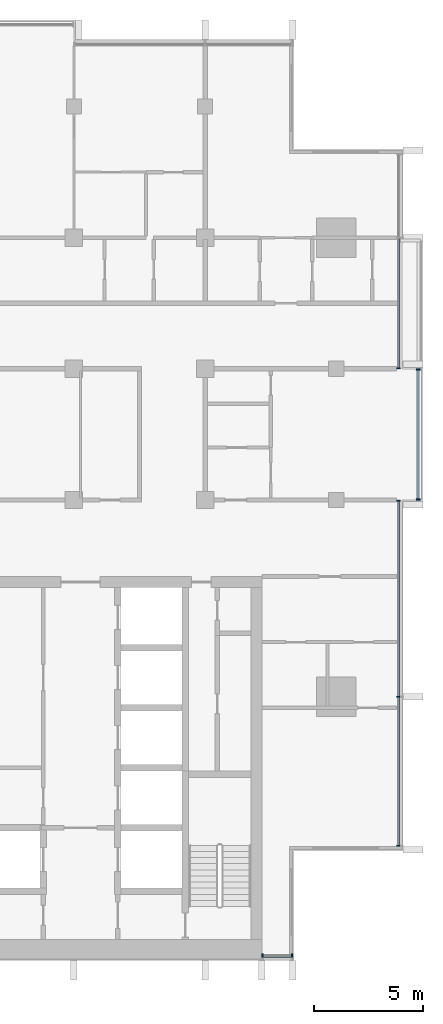
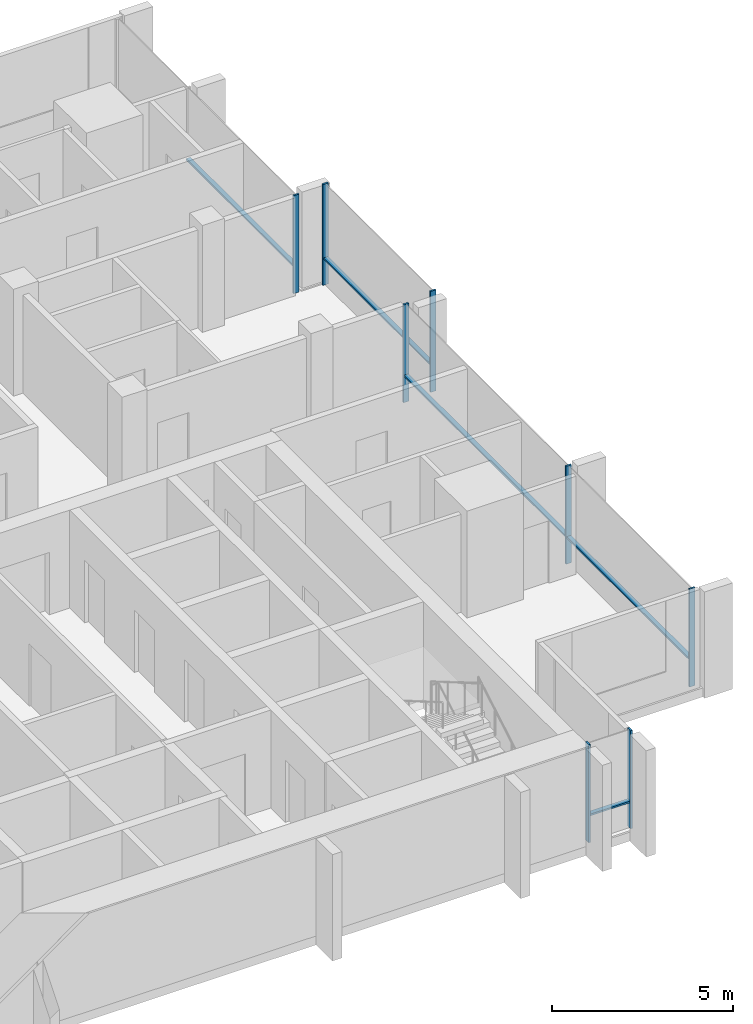
# One storey, part 3 of 16: 13 members, 4 elements without a shape of their own.
"""IFC4 building model written with IfcOpenShell, lengths in metres."""

from ifc_helpers import new_model, si_unit, direction, frame, origin, origin_2d, place, context, subcontext, project, spatial, rectangle, extrude, material, material_profile, profile_set, type_object, element, aggregate, save


model = new_model("IFC4")

# Units and contexts
model_context = context("Model", 3, precision=1e-05, world=origin(), true_north=direction((0.0, 1.0)))
body_context = subcontext(model_context, "Body", "Model", "MODEL_VIEW")
ifc_project = project(units=[si_unit("LENGTHUNIT", "METRE"), si_unit("AREAUNIT", "SQUARE_METRE"), si_unit("VOLUMEUNIT", "CUBIC_METRE"), si_unit("PLANEANGLEUNIT", "RADIAN"), si_unit("MASSUNIT", "GRAM", prefix="KILO")], contexts=[model_context])

# Site, building, storey
site_placement = place(None, origin())
site = spatial("IfcSite", under=ifc_project, at=site_placement, CompositionType="ELEMENT")
building_placement = place(site_placement, origin())
building = spatial("IfcBuilding", under=site, at=building_placement, Name="Finial Court Residences", CompositionType="ELEMENT")
storey_placement = place(building_placement, frame((0.0, 0.0, 291.5)))
storey = spatial("IfcBuildingStorey", under=building, at=storey_placement, Name="L74", CompositionType="ELEMENT", Elevation=291.5)

# Curtain wall, members
ifc_material = material(Name="Bronze anodised aluminium", Category="aluminium")
curtain_wall_type = type_object("IfcCurtainWallType", Name="Unitised curtain wall, upper zones", PredefinedType="NOTDEFINED", material=ifc_material)
curtain_wall_1_placement = place(storey_placement, origin())
curtain_wall_1 = element("IfcCurtainWall", 1, at=curtain_wall_1_placement, inside=storey, type_object=curtain_wall_type, Name="E-L74-CW-E4", PredefinedType="NOTDEFINED")
ifc_material_profile_1 = material_profile(ifc_material, rectangle(XDim=0.175048828125, YDim=0.06005859375, at=origin_2d()), Name="CW2 mullion 60 x 175")
ifc_profile_set_1 = profile_set([ifc_material_profile_1], Name="Bronze anodised aluminium")
member_type_1 = type_object("IfcMemberType", Name="CW2 mullion 60 x 175", PredefinedType="MULLION", material=ifc_profile_set_1)
member_1_placement = place(storey_placement, frame((19.35009765625, -20.320068359375, 0.0), z_axis=(0.0, 0.0, 1.0), x_axis=(-1.0, 0.0, 0.0)))
member_1 = element("IfcMember", 2, at=member_1_placement, type_object=member_type_1, Name="CW2 mullion 1", PredefinedType="MULLION", context=body_context, shape_type="SweptSolid", body=[
    extrude(rectangle(XDim=0.175048828125, YDim=0.06005859375, at=origin_2d()), origin(), (0.0, 0.0, 1.0), 3.300048828125),
])
member_2_placement = place(storey_placement, frame((19.35009765625, -13.5, 0.0), z_axis=(0.0, 0.0, 1.0), x_axis=(-1.0, 0.0, 0.0)))
member_2 = element("IfcMember", 3, at=member_2_placement, type_object=member_type_1, Name="CW2 mullion 2", PredefinedType="MULLION", context=body_context, shape_type="SweptSolid", body=[
    extrude(rectangle(XDim=0.175048828125, YDim=0.06005859375, at=origin_2d()), origin(), (0.0, 0.0, 1.0), 3.300048828125),
])
member_3_placement = place(storey_placement, frame((19.35009765625, -4.530029296875, 0.0), z_axis=(0.0, 0.0, 1.0), x_axis=(-1.0, 0.0, 0.0)))
member_3 = element("IfcMember", 4, at=member_3_placement, type_object=member_type_1, Name="CW2 mullion 3", PredefinedType="MULLION", context=body_context, shape_type="SweptSolid", body=[
    extrude(rectangle(XDim=0.175048828125, YDim=0.06005859375, at=origin_2d()), origin(), (0.0, 0.0, 1.0), 3.300048828125),
])

curtain_wall_2_placement = place(storey_placement, origin())
curtain_wall_2 = element("IfcCurtainWall", 5, at=curtain_wall_2_placement, inside=storey, type_object=curtain_wall_type, Name="E-L74-CW-E5", PredefinedType="NOTDEFINED")
member_4_placement = place(storey_placement, frame((20.25, -4.469970703125, 0.0), z_axis=(0.0, 0.0, 1.0), x_axis=(-1.0, 0.0, 0.0)))
member_4 = element("IfcMember", 6, at=member_4_placement, type_object=member_type_1, Name="CW2 mullion 1", PredefinedType="MULLION", context=body_context, shape_type="SweptSolid", body=[
    extrude(rectangle(XDim=0.175048828125, YDim=0.06005859375, at=origin_2d()), origin(), (0.0, 0.0, 1.0), 3.39990234375),
])
member_5_placement = place(storey_placement, frame((20.25, 1.469970703125, 0.0), z_axis=(0.0, 0.0, 1.0), x_axis=(-1.0, 0.0, 0.0)))
member_5 = element("IfcMember", 7, at=member_5_placement, type_object=member_type_1, Name="CW2 mullion 2", PredefinedType="MULLION", context=body_context, shape_type="SweptSolid", body=[
    extrude(rectangle(XDim=0.175048828125, YDim=0.06005859375, at=origin_2d()), origin(), (0.0, 0.0, 1.0), 3.39990234375),
])

# Curtain wall, member
curtain_wall_3_placement = place(storey_placement, origin())
curtain_wall_3 = element("IfcCurtainWall", 8, at=curtain_wall_3_placement, inside=storey, type_object=curtain_wall_type, Name="E-L74-CW-E6", PredefinedType="NOTDEFINED")
member_6_placement = place(storey_placement, frame((19.35009765625, 1.530029296875, 0.0), z_axis=(0.0, 0.0, 1.0), x_axis=(-1.0, 0.0, 0.0)))
member_6 = element("IfcMember", 9, at=member_6_placement, type_object=member_type_1, Name="CW2 mullion 1", PredefinedType="MULLION", context=body_context, shape_type="SweptSolid", body=[
    extrude(rectangle(XDim=0.175048828125, YDim=0.06005859375, at=origin_2d()), origin(), (0.0, 0.0, 1.0), 3.300048828125),
])

# Curtain wall, members
curtain_wall_4_placement = place(storey_placement, origin())
curtain_wall_4 = element("IfcCurtainWall", 10, at=curtain_wall_4_placement, inside=storey, type_object=curtain_wall_type, Name="E-L74-CW-S8", PredefinedType="NOTDEFINED")
member_7_placement = place(storey_placement, frame((13.1298828125, -25.35009765625, 0.0), z_axis=(0.0, 0.0, 1.0), x_axis=(0.0, 1.0, 0.0)))
member_7 = element("IfcMember", 11, at=member_7_placement, type_object=member_type_1, Name="CW2 mullion 1", PredefinedType="MULLION", context=body_context, shape_type="SweptSolid", body=[
    extrude(rectangle(XDim=0.175048828125, YDim=0.06005859375, at=origin_2d()), origin(), (0.0, 0.0, 1.0), 3.300048828125),
])
member_8_placement = place(storey_placement, frame((14.469970703125, -25.35009765625, 0.0), z_axis=(0.0, 0.0, 1.0), x_axis=(0.0, 1.0, 0.0)))
member_8 = element("IfcMember", 12, at=member_8_placement, type_object=member_type_1, Name="CW2 mullion 2", PredefinedType="MULLION", context=body_context, shape_type="SweptSolid", body=[
    extrude(rectangle(XDim=0.175048828125, YDim=0.06005859375, at=origin_2d()), origin(), (0.0, 0.0, 1.0), 3.300048828125),
])

# Member
ifc_material_profile_2 = material_profile(ifc_material, rectangle(XDim=0.139892578125, YDim=0.06005859375, at=origin_2d()), Name="CW2 transom 60 x 140")
ifc_profile_set_2 = profile_set([ifc_material_profile_2], Name="Bronze anodised aluminium")
member_type_2 = type_object("IfcMemberType", Name="CW2 transom 60 x 140", PredefinedType="USERDEFINED", material=ifc_profile_set_2)
member_9_placement = place(storey_placement, frame((19.35009765625, -20.2900390625, 0.89990234375), z_axis=(0.0, 1.0, 0.0), x_axis=(-1.0, 0.0, 0.0)))
member_9 = element("IfcMember", 13, at=member_9_placement, type_object=member_type_2, Name="CW2 transom 1.1", ObjectType="TRANSOM", PredefinedType="USERDEFINED", context=body_context, shape_type="SweptSolid", body=[
    extrude(rectangle(XDim=0.139892578125, YDim=0.06005859375, at=origin_2d()), origin(), (0.0, 0.0, 1.0), 6.760009765625),
])

member_10_placement = place(storey_placement, frame((19.35009765625, -13.469970703125, 0.89990234375), z_axis=(0.0, 1.0, 0.0), x_axis=(-1.0, 0.0, 0.0)))
member_10 = element("IfcMember", 14, at=member_10_placement, type_object=member_type_2, Name="CW2 transom 2.1", ObjectType="TRANSOM", PredefinedType="USERDEFINED", context=body_context, shape_type="SweptSolid", body=[
    extrude(rectangle(XDim=0.139892578125, YDim=0.06005859375, at=origin_2d()), origin(), (0.0, 0.0, 1.0), 8.909912109375),
])

aggregate(curtain_wall_1, [member_1, member_2, member_3, member_9, member_10])

member_11_placement = place(storey_placement, frame((20.25, -4.43994140625, 0.89990234375), z_axis=(0.0, 1.0, 0.0), x_axis=(-1.0, 0.0, 0.0)))
member_11 = element("IfcMember", 15, at=member_11_placement, type_object=member_type_2, Name="CW2 transom 1.1", ObjectType="TRANSOM", PredefinedType="USERDEFINED", context=body_context, shape_type="SweptSolid", body=[
    extrude(rectangle(XDim=0.139892578125, YDim=0.06005859375, at=origin_2d()), origin(), (0.0, 0.0, 1.0), 5.8798828125),
])

aggregate(curtain_wall_2, [member_4, member_5, member_11])

member_12_placement = place(storey_placement, frame((19.35009765625, 1.56005859375, 0.89990234375), z_axis=(0.0, 1.0, 0.0), x_axis=(-1.0, 0.0, 0.0)))
member_12 = element("IfcMember", 16, at=member_12_placement, type_object=member_type_2, Name="CW2 transom 1.1", ObjectType="TRANSOM", PredefinedType="USERDEFINED", context=body_context, shape_type="SweptSolid", body=[
    extrude(rectangle(XDim=0.139892578125, YDim=0.06005859375, at=origin_2d()), origin(), (0.0, 0.0, 1.0), 5.909912109375),
])

aggregate(curtain_wall_3, [member_6, member_12])

member_13_placement = place(storey_placement, frame((13.159912109375, -25.35009765625, 0.89990234375), z_axis=(1.0, 0.0, 0.0), x_axis=(0.0, 1.0, 0.0)))
member_13 = element("IfcMember", 17, at=member_13_placement, type_object=member_type_2, Name="CW2 transom 1.1", ObjectType="TRANSOM", PredefinedType="USERDEFINED", context=body_context, shape_type="SweptSolid", body=[
    extrude(rectangle(XDim=0.139892578125, YDim=0.06005859375, at=origin_2d()), origin(), (0.0, 0.0, 1.0), 1.280029296875),
])

aggregate(curtain_wall_4, [member_7, member_8, member_13])

save(model, "model.ifc")
